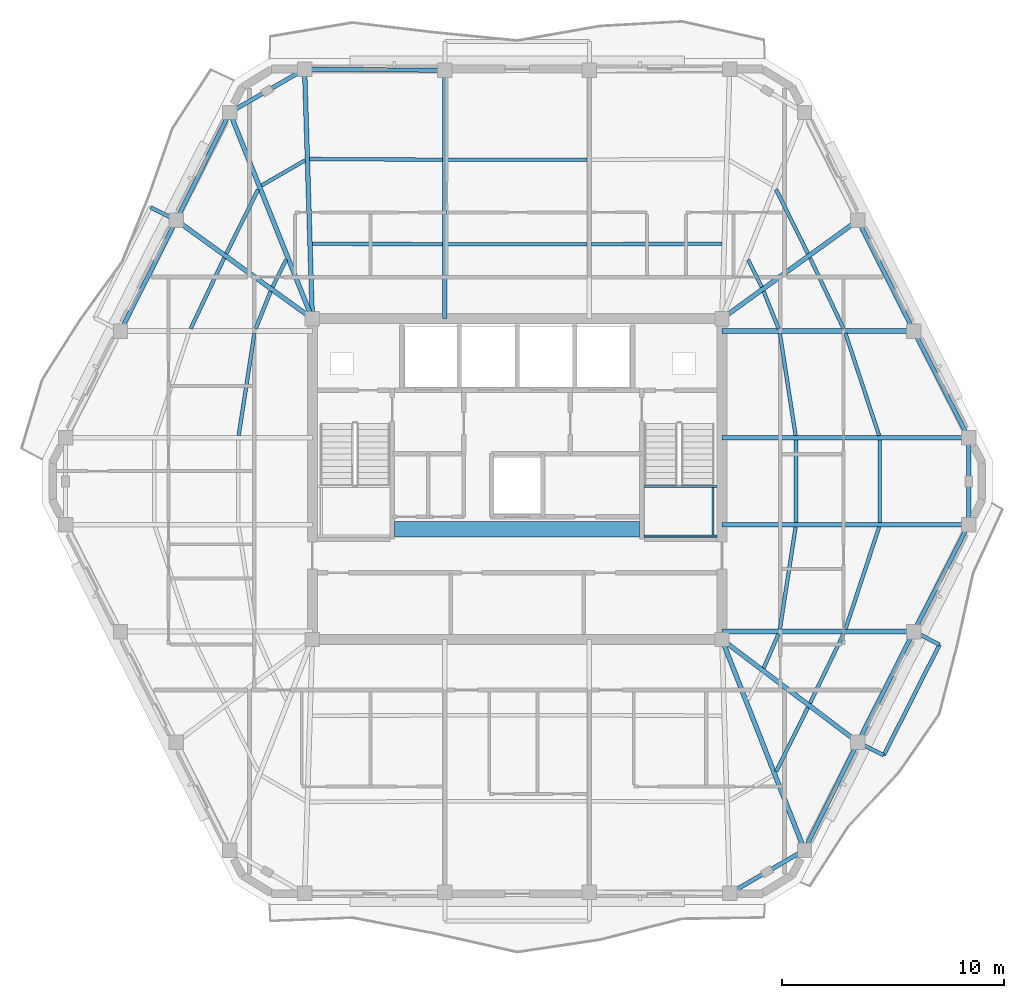
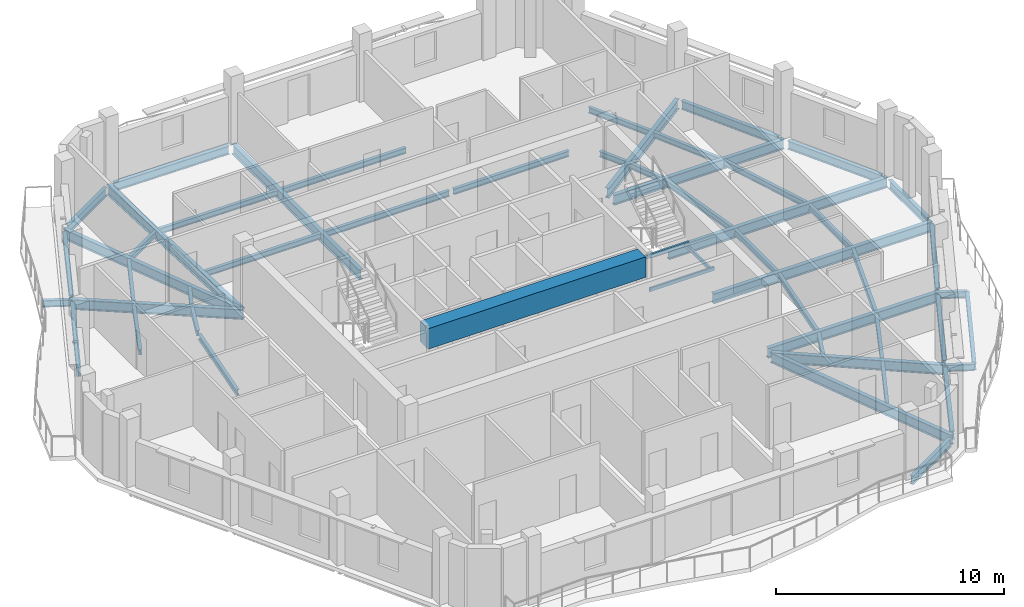
# One storey, part 2 of 11: 54 beams.
"""IFC4 building model written with IfcOpenShell, lengths in metres."""

import ifcopenshell
import ifcopenshell.guid

model = None  # the IFC model being written
_history = None  # IfcOwnerHistory: only IFC2X3 demands one
_inside = {}  # id of a spatial element -> (the spatial element, [elements in it])
_under = {}  # id of a project, library or spatial element -> (it, [spatial elements below it])
_declared = {}  # id of a project -> (the project, [libraries it declares])
_typed = {}  # id of a type object -> (the type object, [elements of that type])
_made_of = {}  # id of a material, layer set ... -> (it, [elements and type objects made of it])


def new_model(schema):
    """Start an empty IFC model of exactly this schema.

    Asked for "IFC4X3", IfcOpenShell would pick the latest addendum, in which some entities
    have other attributes; the version numbers below select the first issue.
    IFC2X3 requires an IfcOwnerHistory on every rooted entity: one is made here for all.
    """
    global model, _history
    if schema == "IFC4X3":
        model = ifcopenshell.file(schema_version=(4, 3, 0, 0))
    else:
        model = ifcopenshell.file(schema=schema)
    _inside.clear()
    _under.clear()
    _declared.clear()
    _typed.clear()
    _made_of.clear()
    _history = None
    if model.schema == "IFC2X3":
        org = make("IfcOrganization", Name="unknown")
        user = make(
            "IfcPersonAndOrganization",
            ThePerson=make("IfcPerson", FamilyName="unknown"),
            TheOrganization=org,
        )
        app = make(
            "IfcApplication",
            ApplicationDeveloper=org,
            Version="unknown",
            ApplicationFullName="unknown",
            ApplicationIdentifier="unknown",
        )
        _history = make(
            "IfcOwnerHistory",
            OwningUser=user,
            OwningApplication=app,
            ChangeAction="ADDED",
            CreationDate=0,
        )
    return model


def make(cls, **values):
    """One entity of the class cls with the attributes given. An attribute that is None is left unset."""
    return model.create_entity(
        cls, **{name: value for name, value in values.items() if value is not None}
    )


def rooted(cls, **values):
    """An entity with a GlobalId (a new one), such as an element, a storey or a relation."""
    return make(cls, GlobalId=ifcopenshell.guid.new(), OwnerHistory=_history, **values)


def si_unit(unit_type, name, prefix=None):
    """IfcSIUnit, for example si_unit("LENGTHUNIT", "METRE", prefix="MILLI")."""
    return make("IfcSIUnit", UnitType=unit_type, Prefix=prefix, Name=name)


def assignment(units):
    """IfcUnitAssignment: the units of a project."""
    return None if units is None else make("IfcUnitAssignment", Units=units)


def point(xyz):
    """IfcCartesianPoint."""
    return None if xyz is None else make("IfcCartesianPoint", Coordinates=xyz)


def direction(xyz):
    """IfcDirection."""
    return None if xyz is None else make("IfcDirection", DirectionRatios=xyz)


def frame(location, z_axis=None, x_axis=None):
    """IfcAxis2Placement3D, a coordinate frame: its origin and axes. An axis left out is left unset."""
    return make(
        "IfcAxis2Placement3D",
        Location=point(location),
        Axis=direction(z_axis),
        RefDirection=direction(x_axis),
    )


def frame_2d(location, x_axis=None):
    """IfcAxis2Placement2D, a coordinate frame in the plane: its origin and x axis."""
    return make(
        "IfcAxis2Placement2D", Location=point(location), RefDirection=direction(x_axis)
    )


def origin():
    """The frame at (0, 0, 0) with its axes left unset."""
    return frame((0.0, 0.0, 0.0))


def origin_2d():
    """The frame at (0, 0) in the plane with its x axis left unset."""
    return frame_2d((0.0, 0.0))


def place(relative_to, where):
    """IfcLocalPlacement: puts the frame where relative to a parent placement (None: the world)."""
    return make(
        "IfcLocalPlacement", PlacementRelTo=relative_to, RelativePlacement=where
    )


def context(
    kind, dimensions, precision=None, world=None, true_north=None, identifier=None
):
    """IfcGeometricRepresentationContext, for example the 3D "Model" context."""
    return make(
        "IfcGeometricRepresentationContext",
        ContextIdentifier=identifier,
        ContextType=kind,
        CoordinateSpaceDimension=dimensions,
        Precision=precision,
        WorldCoordinateSystem=world,
        TrueNorth=true_north,
    )


def subcontext(parent, identifier, kind, view, scale=None):
    """IfcGeometricRepresentationSubContext, for example "Body" below "Model"."""
    return make(
        "IfcGeometricRepresentationSubContext",
        ContextIdentifier=identifier,
        ContextType=kind,
        ParentContext=parent,
        TargetScale=scale,
        TargetView=view,
    )


def project(units=None, contexts=None):
    """IfcProject with its units and contexts."""
    return rooted(
        "IfcProject",
        Name="project",
        RepresentationContexts=contexts,
        UnitsInContext=assignment(units),
    )


def spatial(cls, under=None, at=None, **own):
    """A site, building, storey or space (cls), placed at a placement, below another one or the project."""
    s = rooted(cls, ObjectPlacement=at, **own)
    if under is not None:
        _under.setdefault(under.id(), (under, []))[1].append(s)
    return s


def profile(cls, at=None, kind="AREA", **sizes):
    """A parametric profile (cls). Its sizes go by their IFC names, for example OverallWidth=200.0."""
    return make(cls, ProfileType=kind, Position=at, **sizes)


def rectangle(**sizes):
    """IfcRectangleProfileDef."""
    return profile("IfcRectangleProfileDef", **sizes)


def hollow_rectangle(**sizes):
    """IfcRectangleHollowProfileDef."""
    return profile("IfcRectangleHollowProfileDef", **sizes)


def i_section(**sizes):
    """IfcIShapeProfileDef."""
    return profile("IfcIShapeProfileDef", **sizes)


def extrude(swept, where, along, depth):
    """IfcExtrudedAreaSolid: the profile swept, set in the frame where, extruded along a direction by depth."""
    return make(
        "IfcExtrudedAreaSolid",
        SweptArea=swept,
        Position=where,
        ExtrudedDirection=direction(along),
        Depth=depth,
    )


def shape(context_of_items, identifier, shape_type, items):
    """IfcShapeRepresentation: the items that make up one representation, for example the "Body"."""
    return make(
        "IfcShapeRepresentation",
        ContextOfItems=context_of_items,
        RepresentationIdentifier=identifier,
        RepresentationType=shape_type,
        Items=items,
    )


def material(Name=None, Category=None):
    """IfcMaterial."""
    return make("IfcMaterial", Name=Name, Category=Category)


def material_profile(
    of_material, cross_section, Name=None, Category=None, Priority=None
):
    """IfcMaterialProfile: a cross section and its material."""
    return make(
        "IfcMaterialProfile",
        Name=Name,
        Material=of_material,
        Profile=cross_section,
        Priority=Priority,
        Category=Category,
    )


def profile_set(profiles, Name=None, composite=None):
    """IfcMaterialProfileSet."""
    return make(
        "IfcMaterialProfileSet",
        Name=Name,
        MaterialProfiles=profiles,
        CompositeProfile=composite,
    )


def made_of(thing, what):
    """Note that an element or type object is made of a material, layer set ...; save() writes the relation."""
    if what is not None:
        _made_of.setdefault(what.id(), (what, []))[1].append(thing)
    return thing


def type_object(cls, material=None, **own):
    """A type object (cls), such as IfcWallType, which elements share."""
    return made_of(rooted(cls, **own), material)


def element(
    cls,
    number,
    at=None,
    inside=None,
    cuts=None,
    type_object=None,
    material=None,
    context=None,
    identifier="Body",
    shape_type=None,
    held_by="IfcProductDefinitionShape",
    body=None,
    shapes=None,
    **own,
):
    """One element of the class cls, such as IfcWall. Its Tag is "e" and its number.

    at: its placement. inside: the storey or other place that contains it. cuts: it is an
    opening in that element (IfcRelVoidsElement). A single representation is given by context,
    identifier, shape_type and body (its items); several are given by shapes. held_by: the class
    of the entity that holds the representations. save() writes the other relations.
    """
    e = rooted(cls, Tag="e%d" % number, ObjectPlacement=at, **own)
    if body is not None:
        shapes = [shape(context, identifier, shape_type, body)]
    if shapes is not None:
        e.Representation = make(held_by, Representations=shapes)
    if inside is not None:
        _inside.setdefault(inside.id(), (inside, []))[1].append(e)
    if cuts is not None:
        rooted(
            "IfcRelVoidsElement", RelatingBuildingElement=cuts, RelatedOpeningElement=e
        )
    if type_object is not None:
        _typed.setdefault(type_object.id(), (type_object, []))[1].append(e)
    return made_of(e, material)


def aggregate(whole, parts):
    """IfcRelAggregates: a whole, such as a stair, and the parts it consists of."""
    return rooted("IfcRelAggregates", RelatingObject=whole, RelatedObjects=parts)


def save(model, path):
    """Write the relations noted so far, then the file.

    IfcRelAggregates (storeys below a building ...), IfcRelContainedInSpatialStructure (elements
    in a storey), IfcRelDefinesByType, IfcRelAssociatesMaterial and IfcRelDeclares: one each for
    every whole, place, type object, material and project.
    """
    for whole, parts in _under.values():
        aggregate(whole, parts)
    for where, things in _inside.values():
        rooted(
            "IfcRelContainedInSpatialStructure",
            RelatedElements=things,
            RelatingStructure=where,
        )
    for kind, things in _typed.values():
        rooted("IfcRelDefinesByType", RelatedObjects=things, RelatingType=kind)
    for what, things in _made_of.values():
        rooted("IfcRelAssociatesMaterial", RelatedObjects=things, RelatingMaterial=what)
    for by, libraries in _declared.values():
        rooted("IfcRelDeclares", RelatingContext=by, RelatedDefinitions=libraries)
    model.write(path)


model = new_model("IFC4")

# Units and contexts
model_context = context("Model", 3, precision=1e-05, world=origin(), true_north=direction((0.0, 1.0)))
body_context = subcontext(model_context, "Body", "Model", "MODEL_VIEW")
ifc_project = project(units=[si_unit("LENGTHUNIT", "METRE"), si_unit("AREAUNIT", "SQUARE_METRE"), si_unit("VOLUMEUNIT", "CUBIC_METRE"), si_unit("PLANEANGLEUNIT", "RADIAN"), si_unit("MASSUNIT", "GRAM", prefix="KILO")], contexts=[model_context])

# Site, building, storey
site_placement = place(None, origin())
site = spatial("IfcSite", under=ifc_project, at=site_placement, CompositionType="ELEMENT")
building_placement = place(site_placement, origin())
building = spatial("IfcBuilding", under=site, at=building_placement, Name="Cinnabar Lancet Tower", CompositionType="ELEMENT")
storey_placement = place(building_placement, frame((0.0, 0.0, 274.449951171875)))
storey = spatial("IfcBuildingStorey", under=building, at=storey_placement, Name="L73", CompositionType="ELEMENT", Elevation=274.449951171875)

# Beams
ifc_material_1 = material(Name="Concrete C70/85", Category="concrete")
ifc_material_profile_1 = material_profile(ifc_material_1, rectangle(XDim=0.699951171875, YDim=1.10009765625, at=origin_2d()), Name="RC-CB 700x1100")
ifc_profile_set_1 = profile_set([ifc_material_profile_1], Name="Concrete C70/85")
beam_type_1 = type_object("IfcBeamType", Name="STR-BM-CB-1100", PredefinedType="BEAM", material=ifc_profile_set_1)
beam_1_placement = place(storey_placement, frame((26.8798828125, 23.64990234375, 2.820068359375), z_axis=(1.0, 0.0, 0.0), x_axis=(0.0, 1.0, 0.0)))
element("IfcBeam", 1, at=beam_1_placement, inside=storey, type_object=beam_type_1, Name="L73 Core Coupling Beam", PredefinedType="BEAM", context=body_context, shape_type="SweptSolid", body=[
    extrude(rectangle(XDim=0.699951171875, YDim=1.10009765625, at=origin_2d()), origin(), (0.0, 0.0, 1.0), 11.0400390625),
])
ifc_material_2 = material(Name="Structural steel S355", Category="steel")
ifc_material_profile_2 = material_profile(ifc_material_2, i_section(OverallWidth=0.1650390625, OverallDepth=0.303466796875, WebThickness=0.006103515625, FlangeThickness=0.01025390625, FilletRadius=0.0087890625, at=origin_2d()), Name="UKB 305x165x40")
ifc_profile_set_2 = profile_set([ifc_material_profile_2], Name="Structural steel S355")
beam_type_2 = type_object("IfcBeamType", Name="STR-BM-JST-305", PredefinedType="JOIST", material=ifc_profile_set_2)
beam_2_placement = place(storey_placement, frame((44.06591796875, 12.73193359375, -0.35205078125), z_axis=(0.444391284604, 0.895832789179, 0.0), x_axis=(-0.895832789179, 0.444391284604, 0.0)))
element("IfcBeam", 2, at=beam_2_placement, inside=storey, type_object=beam_type_2, Name="L73 Secondary Floor Joist 15", PredefinedType="JOIST", context=body_context, shape_type="SweptSolid", body=[
    extrude(i_section(OverallWidth=0.1650390625, OverallDepth=0.303466796875, WebThickness=0.006103515625, FlangeThickness=0.01025390625, FilletRadius=0.0087890625, at=origin_2d()), origin(), (0.0, 0.0, 1.0), 3.220458984375),
])
beam_3_placement = place(storey_placement, frame((45.591064453125, 15.80810546875, -0.35205078125), z_axis=(0.43610936109, 0.899893674369, 0.0), x_axis=(-0.899893674369, 0.43610936109, 0.0)))
element("IfcBeam", 3, at=beam_3_placement, inside=storey, type_object=beam_type_2, Name="L73 Secondary Floor Joist 17", PredefinedType="JOIST", context=body_context, shape_type="SweptSolid", body=[
    extrude(i_section(OverallWidth=0.1650390625, OverallDepth=0.303466796875, WebThickness=0.006103515625, FlangeThickness=0.01025390625, FilletRadius=0.0087890625, at=origin_2d()), origin(), (0.0, 0.0, 1.0), 3.467041015625),
])
beam_4_placement = place(storey_placement, frame((43.5048828125, 17.385009765625, -0.35205078125), z_axis=(0.396302440144, 0.91812002262, 0.0), x_axis=(-0.91812002262, 0.396302440144, 0.0)))
element("IfcBeam", 4, at=beam_4_placement, inside=storey, type_object=beam_type_2, Name="L73 Secondary Floor Joist 18", PredefinedType="JOIST", context=body_context, shape_type="SweptSolid", body=[
    extrude(i_section(OverallWidth=0.1650390625, OverallDepth=0.303466796875, WebThickness=0.006103515625, FlangeThickness=0.01025390625, FilletRadius=0.0087890625, at=origin_2d()), origin(), (0.0, 0.0, 1.0), 1.6806640625),
])
beam_5_placement = place(storey_placement, frame((47.18798828125, 19.137939453125, -0.35205078125), z_axis=(0.312491145371, 0.949920672512, 0.0), x_axis=(-0.949920672512, 0.312491145371, 0.0)))
element("IfcBeam", 5, at=beam_5_placement, inside=storey, type_object=beam_type_2, Name="L73 Secondary Floor Joist 19", PredefinedType="JOIST", context=body_context, shape_type="SweptSolid", body=[
    extrude(i_section(OverallWidth=0.1650390625, OverallDepth=0.303466796875, WebThickness=0.006103515625, FlangeThickness=0.01025390625, FilletRadius=0.0087890625, at=origin_2d()), origin(), (0.0, 0.0, 1.0), 4.8447265625),
])
beam_6_placement = place(storey_placement, frame((44.23291015625, 19.137939453125, -0.35205078125), z_axis=(0.152262059154, 0.988340156698, 0.0), x_axis=(-0.988340156698, 0.152262059154, 0.0)))
element("IfcBeam", 6, at=beam_6_placement, inside=storey, type_object=beam_type_2, Name="L73 Secondary Floor Joist 20", PredefinedType="JOIST", context=body_context, shape_type="SweptSolid", body=[
    extrude(i_section(OverallWidth=0.1650390625, OverallDepth=0.303466796875, WebThickness=0.006103515625, FlangeThickness=0.01025390625, FilletRadius=0.0087890625, at=origin_2d()), origin(), (0.0, 0.0, 1.0), 4.65625),
])
for number, where, z_axis, x_axis, name in (
    (7, (48.737060546875, 23.949951171875, -0.35205078125), (0.0, 1.0, 0.0), (-1.0, 0.0, 0.0), "L73 Secondary Floor Joist 21"),
    (8, (44.958984375, 23.949951171875, -0.35205078125), (0.0, 1.0, 0.0), (-1.0, 0.0, 0.0), "L73 Secondary Floor Joist 22"),
):
    element("IfcBeam", number, at=place(storey_placement, frame(where, z_axis=z_axis, x_axis=x_axis)), inside=storey, type_object=beam_type_2, Name=name, PredefinedType="JOIST", context=body_context, shape_type="SweptSolid", body=[
        extrude(i_section(OverallWidth=0.1650390625, OverallDepth=0.303466796875, WebThickness=0.006103515625, FlangeThickness=0.01025390625, FilletRadius=0.0087890625, at=origin_2d()), origin(), (0.0, 0.0, 1.0), 3.699951171875),
    ])
beam_7_placement = place(storey_placement, frame((48.701904296875, 27.860107421875, -0.35205078125), z_axis=(-0.312506104996, 0.94991575118, 0.0), x_axis=(-0.94991575118, -0.312506104996, 0.0)))
element("IfcBeam", 9, at=beam_7_placement, inside=storey, type_object=beam_type_2, Name="L73 Secondary Floor Joist 23", PredefinedType="JOIST", context=body_context, shape_type="SweptSolid", body=[
    extrude(i_section(OverallWidth=0.1650390625, OverallDepth=0.303466796875, WebThickness=0.006103515625, FlangeThickness=0.01025390625, FilletRadius=0.0087890625, at=origin_2d()), origin(), (0.0, 0.0, 1.0), 4.844482421875),
])
beam_8_placement = place(storey_placement, frame((44.94189453125, 27.860107421875, -0.35205078125), z_axis=(-0.152269949853, 0.988338941038, 0.0), x_axis=(-0.988338941038, -0.152269949853, 0.0)))
element("IfcBeam", 10, at=beam_8_placement, inside=storey, type_object=beam_type_2, Name="L73 Secondary Floor Joist 24", PredefinedType="JOIST", context=body_context, shape_type="SweptSolid", body=[
    extrude(i_section(OverallWidth=0.1650390625, OverallDepth=0.303466796875, WebThickness=0.006103515625, FlangeThickness=0.01025390625, FilletRadius=0.0087890625, at=origin_2d()), origin(), (0.0, 0.0, 1.0), 4.656005859375),
])
beam_9_placement = place(storey_placement, frame((47.10400390625, 32.672119140625, -0.35205078125), z_axis=(-0.428647868514, 0.903471640296, 0.0), x_axis=(-0.903471640296, -0.428647868514, 0.0)))
element("IfcBeam", 11, at=beam_9_placement, inside=storey, type_object=beam_type_2, Name="L73 Secondary Floor Joist 25", PredefinedType="JOIST", context=body_context, shape_type="SweptSolid", body=[
    extrude(i_section(OverallWidth=0.1650390625, OverallDepth=0.303466796875, WebThickness=0.006103515625, FlangeThickness=0.01025390625, FilletRadius=0.0087890625, at=origin_2d()), origin(), (0.0, 0.0, 1.0), 3.53173828125),
])
beam_10_placement = place(storey_placement, frame((44.175048828125, 32.672119140625, -0.35205078125), z_axis=(-0.37155332079, 0.928411616585, 0.0), x_axis=(-0.928411616585, -0.37155332079, 0.0)))
element("IfcBeam", 12, at=beam_10_placement, inside=storey, type_object=beam_type_2, Name="L73 Secondary Floor Joist 26", PredefinedType="JOIST", context=body_context, shape_type="SweptSolid", body=[
    extrude(i_section(OverallWidth=0.1650390625, OverallDepth=0.303466796875, WebThickness=0.006103515625, FlangeThickness=0.01025390625, FilletRadius=0.0087890625, at=origin_2d()), origin(), (0.0, 0.0, 1.0), 1.8115234375),
])
beam_11_placement = place(storey_placement, frame((45.4970703125, 36.054931640625, -0.35205078125), z_axis=(-0.44427059531, 0.895892648783, 0.0), x_axis=(-0.895892648783, -0.44427059531, 0.0)))
element("IfcBeam", 13, at=beam_11_placement, inside=storey, type_object=beam_type_2, Name="L73 Secondary Floor Joist 27", PredefinedType="JOIST", context=body_context, shape_type="SweptSolid", body=[
    extrude(i_section(OverallWidth=0.1650390625, OverallDepth=0.303466796875, WebThickness=0.006103515625, FlangeThickness=0.01025390625, FilletRadius=0.0087890625, at=origin_2d()), origin(), (0.0, 0.0, 1.0), 3.221435546875),
])
beam_12_placement = place(storey_placement, frame((43.4150390625, 34.549072265625, -0.35205078125), z_axis=(-0.444661746427, 0.895698571655, 0.0), x_axis=(-0.895698571655, -0.444661746427, 0.0)))
element("IfcBeam", 14, at=beam_12_placement, inside=storey, type_object=beam_type_2, Name="L73 Secondary Floor Joist 28", PredefinedType="JOIST", context=body_context, shape_type="SweptSolid", body=[
    extrude(i_section(OverallWidth=0.1650390625, OverallDepth=0.303466796875, WebThickness=0.006103515625, FlangeThickness=0.01025390625, FilletRadius=0.0087890625, at=origin_2d()), origin(), (0.0, 0.0, 1.0), 1.378662109375),
])
beam_13_placement = place(storey_placement, frame((41.6240234375, 36.49609375, -0.35205078125), z_axis=(-0.999996226008, -0.002747356738, 0.0), x_axis=(0.002747356738, -0.999996226008, 0.0)))
element("IfcBeam", 15, at=beam_13_placement, inside=storey, type_object=beam_type_2, Name="L73 Secondary Floor Joist 31", PredefinedType="JOIST", context=body_context, shape_type="SweptSolid", body=[
    extrude(i_section(OverallWidth=0.1650390625, OverallDepth=0.303466796875, WebThickness=0.006103515625, FlangeThickness=0.01025390625, FilletRadius=0.0087890625, at=origin_2d()), origin(), (0.0, 0.0, 1.0), 5.864990234375),
])
for number, where, z_axis, x_axis, name in (
    (16, (35.549072265625, 40.281982421875, -0.35205078125), (-1.0, 0.0, 0.0), (0.0, -1.0, 0.0), "L73 Secondary Floor Joist 32"),
    (17, (35.549072265625, 36.47998046875, -0.35205078125), (-1.0, 0.0, 0.0), (0.0, -1.0, 0.0), "L73 Secondary Floor Joist 33"),
):
    element("IfcBeam", number, at=place(storey_placement, frame(where, z_axis=z_axis, x_axis=x_axis)), inside=storey, type_object=beam_type_2, Name=name, PredefinedType="JOIST", context=body_context, shape_type="SweptSolid", body=[
        extrude(i_section(OverallWidth=0.1650390625, OverallDepth=0.303466796875, WebThickness=0.006103515625, FlangeThickness=0.01025390625, FilletRadius=0.0087890625, at=origin_2d()), origin(), (0.0, 0.0, 1.0), 6.298095703125),
    ])
beam_14_placement = place(storey_placement, frame((29.041015625, 40.282958984375, -0.35205078125), z_axis=(-0.999985712428, 0.005345553266, 0.0), x_axis=(-0.005345553266, -0.999985712428, 0.0)))
element("IfcBeam", 18, at=beam_14_placement, inside=storey, type_object=beam_type_2, Name="L73 Secondary Floor Joist 34", PredefinedType="JOIST", context=body_context, shape_type="SweptSolid", body=[
    extrude(i_section(OverallWidth=0.1650390625, OverallDepth=0.303466796875, WebThickness=0.006103515625, FlangeThickness=0.01025390625, FilletRadius=0.0087890625, at=origin_2d()), origin(), (0.0, 0.0, 1.0), 5.98291015625),
])
beam_15_placement = place(storey_placement, frame((29.041015625, 36.47998046875, -0.35205078125), z_axis=(-0.999996226008, 0.002747356738, 0.0), x_axis=(-0.002747356738, -0.999996226008, 0.0)))
element("IfcBeam", 19, at=beam_15_placement, inside=storey, type_object=beam_type_2, Name="L73 Secondary Floor Joist 35", PredefinedType="JOIST", context=body_context, shape_type="SweptSolid", body=[
    extrude(i_section(OverallWidth=0.1650390625, OverallDepth=0.303466796875, WebThickness=0.006103515625, FlangeThickness=0.01025390625, FilletRadius=0.0087890625, at=origin_2d()), origin(), (0.0, 0.0, 1.0), 5.864990234375),
])
beam_16_placement = place(storey_placement, frame((22.85009765625, 40.256103515625, -0.35205078125), z_axis=(-0.865426285481, -0.501036270542, 0.0), x_axis=(0.501036270542, -0.865426285481, 0.0)))
element("IfcBeam", 20, at=beam_16_placement, inside=storey, type_object=beam_type_2, Name="L73 Secondary Floor Joist 36", PredefinedType="JOIST", context=body_context, shape_type="SweptSolid", body=[
    extrude(i_section(OverallWidth=0.1650390625, OverallDepth=0.303466796875, WebThickness=0.006103515625, FlangeThickness=0.01025390625, FilletRadius=0.0087890625, at=origin_2d()), origin(), (0.0, 0.0, 1.0), 2.267333984375),
])
beam_17_placement = place(storey_placement, frame((20.73388671875, 38.94091796875, -0.35205078125), z_axis=(-0.444209762814, -0.89592281287, 0.0), x_axis=(0.89592281287, -0.444209762814, 0.0)))
element("IfcBeam", 21, at=beam_17_placement, inside=storey, type_object=beam_type_2, Name="L73 Secondary Floor Joist 37", PredefinedType="JOIST", context=body_context, shape_type="SweptSolid", body=[
    extrude(i_section(OverallWidth=0.1650390625, OverallDepth=0.303466796875, WebThickness=0.006103515625, FlangeThickness=0.01025390625, FilletRadius=0.0087890625, at=origin_2d()), origin(), (0.0, 0.0, 1.0), 3.22119140625),
])
beam_18_placement = place(storey_placement, frame((21.998046875, 35.783935546875, -0.35205078125), z_axis=(-0.444661746427, -0.895698571655, 0.0), x_axis=(0.895698571655, -0.444661746427, 0.0)))
element("IfcBeam", 22, at=beam_18_placement, inside=storey, type_object=beam_type_2, Name="L73 Secondary Floor Joist 38", PredefinedType="JOIST", context=body_context, shape_type="SweptSolid", body=[
    extrude(i_section(OverallWidth=0.1650390625, OverallDepth=0.303466796875, WebThickness=0.006103515625, FlangeThickness=0.01025390625, FilletRadius=0.0087890625, at=origin_2d()), origin(), (0.0, 0.0, 1.0), 1.378662109375),
])
beam_19_placement = place(storey_placement, frame((19.2099609375, 35.863037109375, -0.35205078125), z_axis=(-0.428647868514, -0.903471640296, 0.0), x_axis=(0.903471640296, -0.428647868514, 0.0)))
element("IfcBeam", 23, at=beam_19_placement, inside=storey, type_object=beam_type_2, Name="L73 Secondary Floor Joist 39", PredefinedType="JOIST", context=body_context, shape_type="SweptSolid", body=[
    extrude(i_section(OverallWidth=0.1650390625, OverallDepth=0.303466796875, WebThickness=0.006103515625, FlangeThickness=0.01025390625, FilletRadius=0.0087890625, at=origin_2d()), origin(), (0.0, 0.0, 1.0), 3.53173828125),
])
beam_20_placement = place(storey_placement, frame((21.298095703125, 34.35400390625, -0.35205078125), z_axis=(-0.37155332079, -0.928411616585, 0.0), x_axis=(0.928411616585, -0.37155332079, 0.0)))
element("IfcBeam", 24, at=beam_20_placement, inside=storey, type_object=beam_type_2, Name="L73 Secondary Floor Joist 40", PredefinedType="JOIST", context=body_context, shape_type="SweptSolid", body=[
    extrude(i_section(OverallWidth=0.1650390625, OverallDepth=0.303466796875, WebThickness=0.006103515625, FlangeThickness=0.01025390625, FilletRadius=0.0087890625, at=origin_2d()), origin(), (0.0, 0.0, 1.0), 1.8115234375),
])
beam_21_placement = place(storey_placement, frame((20.56689453125, 32.4619140625, -0.35205078125), z_axis=(-0.152269949853, -0.988338941038, 0.0), x_axis=(0.988338941038, -0.152269949853, 0.0)))
element("IfcBeam", 25, at=beam_21_placement, inside=storey, type_object=beam_type_2, Name="L73 Secondary Floor Joist 42", PredefinedType="JOIST", context=body_context, shape_type="SweptSolid", body=[
    extrude(i_section(OverallWidth=0.1650390625, OverallDepth=0.303466796875, WebThickness=0.006103515625, FlangeThickness=0.01025390625, FilletRadius=0.0087890625, at=origin_2d()), origin(), (0.0, 0.0, 1.0), 4.656005859375),
])
ifc_material_3 = material(Name="Structural steel S355", Category="steel")
ifc_material_profile_3 = material_profile(ifc_material_3, hollow_rectangle(XDim=0.10009765625, YDim=0.199951171875, WallThickness=0.008056640625, InnerFilletRadius=0.00390625, OuterFilletRadius=0.011962890625, at=origin_2d()), Name="RHS 200x100x8")
ifc_profile_set_3 = profile_set([ifc_material_profile_3], Name="Structural steel S355")
beam_type_3 = type_object("IfcBeamType", Name="STR-BM-LND-203", PredefinedType="BEAM", material=ifc_profile_set_3)
for number, where, z_axis, x_axis, name in (
    (26, (38.1201171875, 23.330078125, 1.525146484375), (1.0, 0.0, 0.0), (0.0, 1.0, 0.0), "L73 ST-2-L73 Landing Support Beam S"),
    (27, (38.1201171875, 25.570068359375, 1.525146484375), (1.0, 0.0, 0.0), (0.0, 1.0, 0.0), "L73 ST-2-L73 Landing Support Beam N"),
):
    element("IfcBeam", number, at=place(storey_placement, frame(where, z_axis=z_axis, x_axis=x_axis)), inside=storey, type_object=beam_type_3, Name=name, PredefinedType="BEAM", context=body_context, shape_type="SweptSolid", body=[
        extrude(hollow_rectangle(XDim=0.10009765625, YDim=0.199951171875, WallThickness=0.008056640625, InnerFilletRadius=0.00390625, OuterFilletRadius=0.011962890625, at=origin_2d()), origin(), (0.0, 0.0, 1.0), 3.27978515625),
    ])
beam_22_placement = place(storey_placement, frame((41.219970703125, 23.3798828125, 1.525146484375), z_axis=(0.0, 1.0, 0.0), x_axis=(-1.0, 0.0, 0.0)))
element("IfcBeam", 28, at=beam_22_placement, inside=storey, type_object=beam_type_3, Name="L73 ST-2-L73 Landing Side Trimmer Beam", PredefinedType="BEAM", context=body_context, shape_type="SweptSolid", body=[
    extrude(hollow_rectangle(XDim=0.10009765625, YDim=0.199951171875, WallThickness=0.008056640625, InnerFilletRadius=0.00390625, OuterFilletRadius=0.011962890625, at=origin_2d()), origin(), (0.0, 0.0, 1.0), 2.14013671875),
])
ifc_material_4 = material(Name="Structural steel S355", Category="steel")
ifc_material_profile_4 = material_profile(ifc_material_4, i_section(OverallWidth=0.1904296875, OverallDepth=0.45703125, WebThickness=0.009033203125, FlangeThickness=0.014404296875, FilletRadius=0.01025390625, at=origin_2d()), Name="UKB 457x191x74")
ifc_profile_set_4 = profile_set([ifc_material_profile_4], Name="Structural steel S355")
beam_type_4 = type_object("IfcBeamType", Name="STR-BM-SPN-457", PredefinedType="SPANDREL", material=ifc_profile_set_4)
beam_23_placement = place(storey_placement, frame((42.18798828125, 7.364013671875, -0.427978515625), z_axis=(0.865230894194, 0.50137361292, 0.0), x_axis=(-0.50137361292, 0.865230894194, 0.0)))
element("IfcBeam", 29, at=beam_23_placement, inside=storey, type_object=beam_type_4, Name="L73 Perimeter Spandrel 4", PredefinedType="SPANDREL", context=body_context, shape_type="SweptSolid", body=[
    extrude(i_section(OverallWidth=0.1904296875, OverallDepth=0.45703125, WebThickness=0.009033203125, FlangeThickness=0.014404296875, FilletRadius=0.01025390625, at=origin_2d()), origin(), (0.0, 0.0, 1.0), 3.39453125),
])
beam_24_placement = place(storey_placement, frame((45.451904296875, 9.4150390625, -0.427978515625), z_axis=(0.444372599207, 0.895842058107, 0.0), x_axis=(-0.895842058107, 0.444372599207, 0.0)))
element("IfcBeam", 30, at=beam_24_placement, inside=storey, type_object=beam_type_4, Name="L73 Perimeter Spandrel 5", PredefinedType="SPANDREL", context=body_context, shape_type="SweptSolid", body=[
    extrude(i_section(OverallWidth=0.1904296875, OverallDepth=0.45703125, WebThickness=0.009033203125, FlangeThickness=0.014404296875, FilletRadius=0.01025390625, at=origin_2d()), origin(), (0.0, 0.0, 1.0), 4.91943359375),
])
beam_25_placement = place(storey_placement, frame((47.862060546875, 14.26904296875, -0.427978515625), z_axis=(0.450091864122, 0.892982258419, 0.0), x_axis=(-0.892982258419, 0.450091864122, 0.0)))
element("IfcBeam", 31, at=beam_25_placement, inside=storey, type_object=beam_type_4, Name="L73 Perimeter Spandrel 6", PredefinedType="SPANDREL", context=body_context, shape_type="SweptSolid", body=[
    extrude(i_section(OverallWidth=0.1904296875, OverallDepth=0.45703125, WebThickness=0.009033203125, FlangeThickness=0.014404296875, FilletRadius=0.01025390625, at=origin_2d()), origin(), (0.0, 0.0, 1.0), 5.085205078125),
])
beam_26_placement = place(storey_placement, frame((50.3779296875, 19.2548828125, -0.427978515625), z_axis=(0.457127852293, 0.889400993174, 0.0), x_axis=(-0.889400993174, 0.457127852293, 0.0)))
element("IfcBeam", 32, at=beam_26_placement, inside=storey, type_object=beam_type_4, Name="L73 Perimeter Spandrel 7", PredefinedType="SPANDREL", context=body_context, shape_type="SweptSolid", body=[
    extrude(i_section(OverallWidth=0.1904296875, OverallDepth=0.45703125, WebThickness=0.009033203125, FlangeThickness=0.014404296875, FilletRadius=0.01025390625, at=origin_2d()), origin(), (0.0, 0.0, 1.0), 4.911376953125),
])
beam_27_placement = place(storey_placement, frame((52.737060546875, 24.094970703125, -0.427978515625), z_axis=(0.0, 1.0, 0.0), x_axis=(-1.0, 0.0, 0.0)))
element("IfcBeam", 33, at=beam_27_placement, inside=storey, type_object=beam_type_4, Name="L73 Perimeter Spandrel 8", PredefinedType="SPANDREL", context=body_context, shape_type="SweptSolid", body=[
    extrude(i_section(OverallWidth=0.1904296875, OverallDepth=0.45703125, WebThickness=0.009033203125, FlangeThickness=0.014404296875, FilletRadius=0.01025390625, at=origin_2d()), origin(), (0.0, 0.0, 1.0), 3.409912109375),
])
beam_28_placement = place(storey_placement, frame((52.623046875, 27.97705078125, -0.427978515625), z_axis=(-0.457148063427, 0.889390604912, 0.0), x_axis=(-0.889390604912, -0.457148063427, 0.0)))
element("IfcBeam", 34, at=beam_28_placement, inside=storey, type_object=beam_type_4, Name="L73 Perimeter Spandrel 9", PredefinedType="SPANDREL", context=body_context, shape_type="SweptSolid", body=[
    extrude(i_section(OverallWidth=0.1904296875, OverallDepth=0.45703125, WebThickness=0.009033203125, FlangeThickness=0.014404296875, FilletRadius=0.01025390625, at=origin_2d()), origin(), (0.0, 0.0, 1.0), 4.9111328125),
])
beam_29_placement = place(storey_placement, frame((50.15087890625, 32.7900390625, -0.427978515625), z_axis=(-0.450091864122, 0.892982258419, 0.0), x_axis=(-0.892982258419, -0.450091864122, 0.0)))
element("IfcBeam", 35, at=beam_29_placement, inside=storey, type_object=beam_type_4, Name="L73 Perimeter Spandrel 10", PredefinedType="SPANDREL", context=body_context, shape_type="SweptSolid", body=[
    extrude(i_section(OverallWidth=0.1904296875, OverallDepth=0.45703125, WebThickness=0.009033203125, FlangeThickness=0.014404296875, FilletRadius=0.01025390625, at=origin_2d()), origin(), (0.0, 0.0, 1.0), 5.085205078125),
])
beam_30_placement = place(storey_placement, frame((28.89599609375, 44.31005859375, -0.427978515625), z_axis=(-0.999964785419, 0.008392134492, 0.0), x_axis=(-0.008392134492, -0.999964785419, 0.0)))
element("IfcBeam", 36, at=beam_30_placement, inside=storey, type_object=beam_type_4, Name="L73 Perimeter Spandrel 15", PredefinedType="SPANDREL", context=body_context, shape_type="SweptSolid", body=[
    extrude(i_section(OverallWidth=0.1904296875, OverallDepth=0.45703125, WebThickness=0.009033203125, FlangeThickness=0.014404296875, FilletRadius=0.01025390625, at=origin_2d()), origin(), (0.0, 0.0, 1.0), 5.818359375),
])
beam_31_placement = place(storey_placement, frame((22.612060546875, 44.236083984375, -0.427978515625), z_axis=(-0.865199693264, -0.501427453153, 0.0), x_axis=(0.501427453153, -0.865199693264, 0.0)))
element("IfcBeam", 37, at=beam_31_placement, inside=storey, type_object=beam_type_4, Name="L73 Perimeter Spandrel 16", PredefinedType="SPANDREL", context=body_context, shape_type="SweptSolid", body=[
    extrude(i_section(OverallWidth=0.1904296875, OverallDepth=0.45703125, WebThickness=0.009033203125, FlangeThickness=0.014404296875, FilletRadius=0.01025390625, at=origin_2d()), origin(), (0.0, 0.0, 1.0), 3.39453125),
])
beam_32_placement = place(storey_placement, frame((19.347900390625, 42.18505859375, -0.427978515625), z_axis=(-0.44433276947, -0.895861814107, 0.0), x_axis=(0.895861814107, -0.44433276947, 0.0)))
element("IfcBeam", 38, at=beam_32_placement, inside=storey, type_object=beam_type_4, Name="L73 Perimeter Spandrel 17", PredefinedType="SPANDREL", context=body_context, shape_type="SweptSolid", body=[
    extrude(i_section(OverallWidth=0.1904296875, OverallDepth=0.45703125, WebThickness=0.009033203125, FlangeThickness=0.014404296875, FilletRadius=0.01025390625, at=origin_2d()), origin(), (0.0, 0.0, 1.0), 4.919189453125),
])
beam_33_placement = place(storey_placement, frame((16.93798828125, 37.3310546875, -0.427978515625), z_axis=(-0.450130146726, -0.892962961722, 0.0), x_axis=(0.892962961722, -0.450130146726, 0.0)))
element("IfcBeam", 39, at=beam_33_placement, inside=storey, type_object=beam_type_4, Name="L73 Perimeter Spandrel 18", PredefinedType="SPANDREL", context=body_context, shape_type="SweptSolid", body=[
    extrude(i_section(OverallWidth=0.1904296875, OverallDepth=0.45703125, WebThickness=0.009033203125, FlangeThickness=0.014404296875, FilletRadius=0.01025390625, at=origin_2d()), origin(), (0.0, 0.0, 1.0), 5.08544921875),
])
ifc_material_5 = material(Name="Structural steel S355", Category="steel")
ifc_material_profile_5 = material_profile(ifc_material_5, i_section(OverallWidth=0.209228515625, OverallDepth=0.533203125, WebThickness=0.010009765625, FlangeThickness=0.015625, FilletRadius=0.0126953125, at=origin_2d()), Name="UKB 533x210x92")
ifc_profile_set_5 = profile_set([ifc_material_profile_5], Name="Structural steel S355")
beam_type_5 = type_object("IfcBeamType", Name="STR-BM-UKB533-92", PredefinedType="BEAM", material=ifc_profile_set_5)
beam_34_placement = place(storey_placement, frame((47.7490234375, 14.0458984375, -0.467041015625), z_axis=(-0.797735075719, 0.603008083667, 0.0), x_axis=(-0.603008083667, -0.797735075719, 0.0)))
element("IfcBeam", 40, at=beam_34_placement, inside=storey, type_object=beam_type_5, Name="L73 Corner Collector Girder 2", PredefinedType="BEAM", context=body_context, shape_type="SweptSolid", body=[
    extrude(i_section(OverallWidth=0.209228515625, OverallDepth=0.533203125, WebThickness=0.010009765625, FlangeThickness=0.015625, FilletRadius=0.0126953125, at=origin_2d()), origin(), (0.0, 0.0, 1.0), 7.6767578125),
])
for number, where, z_axis, x_axis, name in (
    (41, (47.7490234375, 37.553955078125, -0.467041015625), (-0.810299148474, -0.586016458797, 0.0), (0.586016458797, -0.810299148474, 0.0), "L73 Corner Collector Girder 3"),
    (42, (17.051025390625, 37.553955078125, -0.467041015625), (0.810299148474, -0.586016458797, 0.0), (0.586016458797, 0.810299148474, 0.0), "L73 Corner Collector Girder 4"),
):
    element("IfcBeam", number, at=place(storey_placement, frame(where, z_axis=z_axis, x_axis=x_axis)), inside=storey, type_object=beam_type_5, Name=name, PredefinedType="BEAM", context=body_context, shape_type="SweptSolid", body=[
        extrude(i_section(OverallWidth=0.209228515625, OverallDepth=0.533203125, WebThickness=0.010009765625, FlangeThickness=0.015625, FilletRadius=0.0126953125, at=origin_2d()), origin(), (0.0, 0.0, 1.0), 7.5576171875),
    ])
beam_35_placement = place(storey_placement, frame((45.341064453125, 9.19091796875, -0.467041015625), z_axis=(-0.364815017375, 0.931080019707, 0.0), x_axis=(-0.931080019707, -0.364815017375, 0.0)))
element("IfcBeam", 43, at=beam_35_placement, inside=storey, type_object=beam_type_5, Name="L73 Primary Floor Girder 5", PredefinedType="BEAM", context=body_context, shape_type="SweptSolid", body=[
    extrude(i_section(OverallWidth=0.209228515625, OverallDepth=0.533203125, WebThickness=0.010009765625, FlangeThickness=0.015625, FilletRadius=0.0126953125, at=origin_2d()), origin(), (0.0, 0.0, 1.0), 10.186279296875),
])
beam_36_placement = place(storey_placement, frame((50.263916015625, 19.032958984375, -0.467041015625), z_axis=(-1.0, 0.0, 0.0), x_axis=(0.0, -1.0, 0.0)))
element("IfcBeam", 44, at=beam_36_placement, inside=storey, type_object=beam_type_5, Name="L73 Primary Floor Girder 7", PredefinedType="BEAM", context=body_context, shape_type="SweptSolid", body=[
    extrude(i_section(OverallWidth=0.209228515625, OverallDepth=0.533203125, WebThickness=0.010009765625, FlangeThickness=0.015625, FilletRadius=0.0126953125, at=origin_2d()), origin(), (0.0, 0.0, 1.0), 8.638916015625),
])
for number, where, z_axis, x_axis, name in (
    (45, (52.737060546875, 23.844970703125, -0.467041015625), (-1.0, 0.0, 0.0), (0.0, -1.0, 0.0), "L73 Primary Floor Girder 8"),
    (46, (52.737060546875, 27.7548828125, -0.467041015625), (-1.0, 0.0, 0.0), (0.0, -1.0, 0.0), "L73 Primary Floor Girder 9"),
):
    element("IfcBeam", number, at=place(storey_placement, frame(where, z_axis=z_axis, x_axis=x_axis)), inside=storey, type_object=beam_type_5, Name=name, PredefinedType="BEAM", context=body_context, shape_type="SweptSolid", body=[
        extrude(i_section(OverallWidth=0.209228515625, OverallDepth=0.533203125, WebThickness=0.010009765625, FlangeThickness=0.015625, FilletRadius=0.0126953125, at=origin_2d()), origin(), (0.0, 0.0, 1.0), 11.112060546875),
    ])
beam_37_placement = place(storey_placement, frame((50.263916015625, 32.56689453125, -0.467041015625), z_axis=(-1.0, 0.0, 0.0), x_axis=(0.0, -1.0, 0.0)))
element("IfcBeam", 47, at=beam_37_placement, inside=storey, type_object=beam_type_5, Name="L73 Primary Floor Girder 10", PredefinedType="BEAM", context=body_context, shape_type="SweptSolid", body=[
    extrude(i_section(OverallWidth=0.209228515625, OverallDepth=0.533203125, WebThickness=0.010009765625, FlangeThickness=0.015625, FilletRadius=0.0126953125, at=origin_2d()), origin(), (0.0, 0.0, 1.0), 8.638916015625),
])
beam_38_placement = place(storey_placement, frame((29.14599609375, 44.30810546875, -0.467041015625), z_axis=(0.0, -1.0, 0.0), x_axis=(1.0, 0.0, 0.0)))
element("IfcBeam", 48, at=beam_38_placement, inside=storey, type_object=beam_type_5, Name="L73 Primary Floor Girder 15", PredefinedType="BEAM", context=body_context, shape_type="SweptSolid", body=[
    extrude(i_section(OverallWidth=0.209228515625, OverallDepth=0.533203125, WebThickness=0.010009765625, FlangeThickness=0.015625, FilletRadius=0.0126953125, at=origin_2d()), origin(), (0.0, 0.0, 1.0), 11.18310546875),
])
beam_39_placement = place(storey_placement, frame((22.827880859375, 44.361083984375, -0.467041015625), z_axis=(0.030882856862, -0.999523010817, 0.0), x_axis=(0.999523010817, 0.030882856862, 0.0)))
element("IfcBeam", 49, at=beam_39_placement, inside=storey, type_object=beam_type_5, Name="L73 Primary Floor Girder 16", PredefinedType="BEAM", context=body_context, shape_type="SweptSolid", body=[
    extrude(i_section(OverallWidth=0.209228515625, OverallDepth=0.533203125, WebThickness=0.010009765625, FlangeThickness=0.015625, FilletRadius=0.0126953125, at=origin_2d()), origin(), (0.0, 0.0, 1.0), 11.241455078125),
])
beam_40_placement = place(storey_placement, frame((19.458984375, 42.408935546875, -0.467041015625), z_axis=(0.371605341166, -0.928390796172, 0.0), x_axis=(0.928390796172, 0.371605341166, 0.0)))
element("IfcBeam", 50, at=beam_40_placement, inside=storey, type_object=beam_type_5, Name="L73 Primary Floor Girder 17", PredefinedType="BEAM", context=body_context, shape_type="SweptSolid", body=[
    extrude(i_section(OverallWidth=0.209228515625, OverallDepth=0.533203125, WebThickness=0.010009765625, FlangeThickness=0.015625, FilletRadius=0.0126953125, at=origin_2d()), origin(), (0.0, 0.0, 1.0), 10.0),
])
ifc_material_6 = material(Name="Structural steel S355", Category="steel")
ifc_material_profile_6 = material_profile(ifc_material_6, i_section(OverallWidth=0.17138671875, OverallDepth=0.35498046875, WebThickness=0.00732421875, FlangeThickness=0.011474609375, FilletRadius=0.01025390625, at=origin_2d()), Name="UKB 356x171x51")
ifc_profile_set_6 = profile_set([ifc_material_profile_6], Name="Structural steel S355")
beam_type_6 = type_object("IfcBeamType", Name="STR-BM-WAV-OUT", PredefinedType="BEAM", material=ifc_profile_set_6)
for number, where, z_axis, x_axis, name in (
    (51, (47.7490234375, 14.0458984375, -0.39697265625), (0.89227592947, -0.451490493464, 0.0), (0.451490493464, 0.89227592947, 0.0), "L73 Face 2 Balcony Outlooker A"),
    (52, (50.263916015625, 19.032958984375, -0.39697265625), (0.892314203325, -0.451414845285, 0.0), (0.451414845285, 0.892314203325, 0.0), "L73 Face 2 Balcony Outlooker B"),
    (53, (17.051025390625, 37.553955078125, -0.39697265625), (-0.892200264127, 0.451639998995, 0.0), (-0.451639998995, -0.892200264127, 0.0), "L73 Face 5 Balcony Outlooker A"),
):
    element("IfcBeam", number, at=place(storey_placement, frame(where, z_axis=z_axis, x_axis=x_axis)), inside=storey, type_object=beam_type_6, Name=name, PredefinedType="BEAM", context=body_context, shape_type="SweptSolid", body=[
        extrude(i_section(OverallWidth=0.17138671875, OverallDepth=0.35498046875, WebThickness=0.00732421875, FlangeThickness=0.011474609375, FilletRadius=0.01025390625, at=origin_2d()), origin(), (0.0, 0.0, 1.0), 1.300048828125),
    ])
ifc_material_7 = material(Name="Structural steel S355", Category="steel")
ifc_material_profile_7 = material_profile(ifc_material_7, i_section(OverallWidth=0.17138671875, OverallDepth=0.35498046875, WebThickness=0.00732421875, FlangeThickness=0.011474609375, FilletRadius=0.01025390625, at=origin_2d()), Name="UKB 356x171x51")
ifc_profile_set_7 = profile_set([ifc_material_profile_7], Name="Structural steel S355")
beam_type_7 = type_object("IfcBeamType", Name="STR-BM-WAV-TRIM", PredefinedType="SPANDREL", material=ifc_profile_set_7)
beam_41_placement = place(storey_placement, frame((48.908935546875, 13.458984375, -0.39697265625), z_axis=(0.450305622338, 0.892874485295, 0.0), x_axis=(-0.892874485295, 0.450305622338, 0.0)))
element("IfcBeam", 54, at=beam_41_placement, inside=storey, type_object=beam_type_7, Name="L73 Face 2 Balcony Edge Trimmer", PredefinedType="SPANDREL", context=body_context, shape_type="SweptSolid", body=[
    extrude(i_section(OverallWidth=0.17138671875, OverallDepth=0.35498046875, WebThickness=0.00732421875, FlangeThickness=0.011474609375, FilletRadius=0.01025390625, at=origin_2d()), origin(), (0.0, 0.0, 1.0), 5.58544921875),
])

save(model, "model.ifc")
